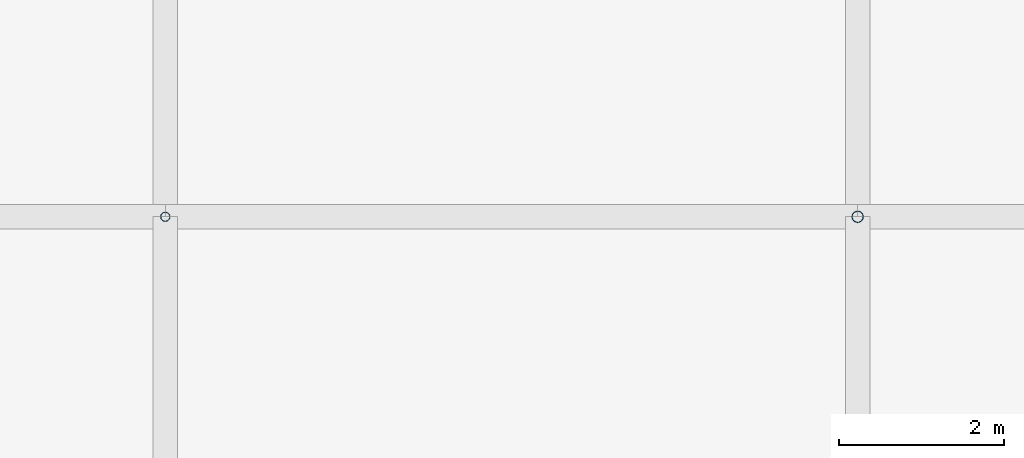
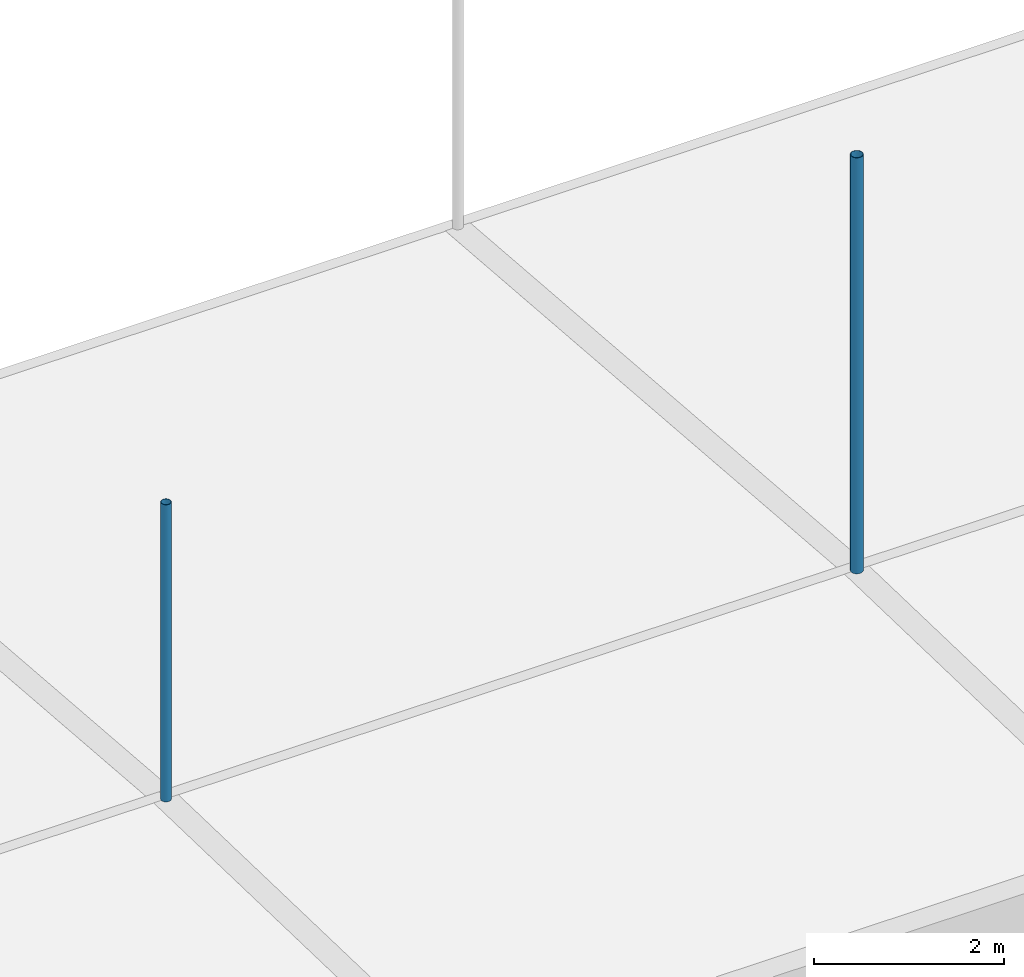
# One storey, part 15 of 37: 2 discrete accessories.
"""IFC4 building model written with IfcOpenShell, lengths in metres."""

from ifc_helpers import new_model, si_unit, direction, frame, origin, origin_2d, place, context, subcontext, project, spatial, hollow_circle, extrude, material, material_profile, profile_set, type_object, element, save


model = new_model("IFC4")

# Units and contexts
model_context = context("Model", 3, precision=1e-05, world=origin(), true_north=direction((0.0, 1.0)))
body_context = subcontext(model_context, "Body", "Model", "MODEL_VIEW")
ifc_project = project(units=[si_unit("LENGTHUNIT", "METRE"), si_unit("AREAUNIT", "SQUARE_METRE"), si_unit("VOLUMEUNIT", "CUBIC_METRE"), si_unit("PLANEANGLEUNIT", "RADIAN"), si_unit("MASSUNIT", "GRAM", prefix="KILO")], contexts=[model_context])

# Site, building, storey
site_placement = place(None, origin())
site = spatial("IfcSite", under=ifc_project, at=site_placement, CompositionType="ELEMENT")
building_placement = place(site_placement, origin())
building = spatial("IfcBuilding", under=site, at=building_placement, Name="Rain Tree Exposition and Congress Centre", CompositionType="ELEMENT")
storey_placement = place(building_placement, frame((0.0, 0.0, 25.0)))
storey = spatial("IfcBuildingStorey", under=building, at=storey_placement, Name="ROOF VAULT LOW", CompositionType="ELEMENT", Elevation=25.0)

# Discrete accessories
ifc_material_1 = material(Name="Steel S355J2H", Category="steel")
ifc_material_profile_1 = material_profile(ifc_material_1, hollow_circle(Radius=0.05712890625, WallThickness=0.00439453125, at=origin_2d()), Name="CHS 114x4.5")
ifc_profile_set_1 = profile_set([ifc_material_profile_1], Name="Steel S355J2H")
discrete_accessory_type_1 = type_object("IfcDiscreteAccessoryType", Name="Roof skin post CHS 114x4.5", PredefinedType="BRACKET", material=ifc_profile_set_1)
discrete_accessory_1_placement = place(storey_placement, frame((42.0, 159.60009765625, 1.1728515625), z_axis=(0.0, 0.0, 1.0), x_axis=(1.0, 0.0, 0.0)))
element("IfcDiscreteAccessory", 1, at=discrete_accessory_1_placement, inside=storey, type_object=discrete_accessory_type_1, Name="Roof skin post A110", PredefinedType="BRACKET", context=body_context, shape_type="SweptSolid", body=[
    extrude(hollow_circle(Radius=0.05712890625, WallThickness=0.00439453125, at=origin_2d()), origin(), (0.0, 0.0, 1.0), 3.819091796875),
])
ifc_material_2 = material(Name="Steel S355J2H", Category="steel")
ifc_material_profile_2 = material_profile(ifc_material_2, hollow_circle(Radius=0.06982421875, WallThickness=0.0048828125, at=origin_2d()), Name="CHS 140x5")
ifc_profile_set_2 = profile_set([ifc_material_profile_2], Name="Steel S355J2H")
discrete_accessory_type_2 = type_object("IfcDiscreteAccessoryType", Name="Roof skin post CHS 140x5", PredefinedType="BRACKET", material=ifc_profile_set_2)
discrete_accessory_2_placement = place(storey_placement, frame((50.39990234375, 159.60009765625, 1.1728515625), z_axis=(0.0, 0.0, 1.0), x_axis=(1.0, 0.0, 0.0)))
element("IfcDiscreteAccessory", 2, at=discrete_accessory_2_placement, inside=storey, type_object=discrete_accessory_type_2, Name="Roof skin post A111", PredefinedType="BRACKET", context=body_context, shape_type="SweptSolid", body=[
    extrude(hollow_circle(Radius=0.06982421875, WallThickness=0.0048828125, at=origin_2d()), origin(), (0.0, 0.0, 1.0), 5.34765625),
])

save(model, "model.ifc")
